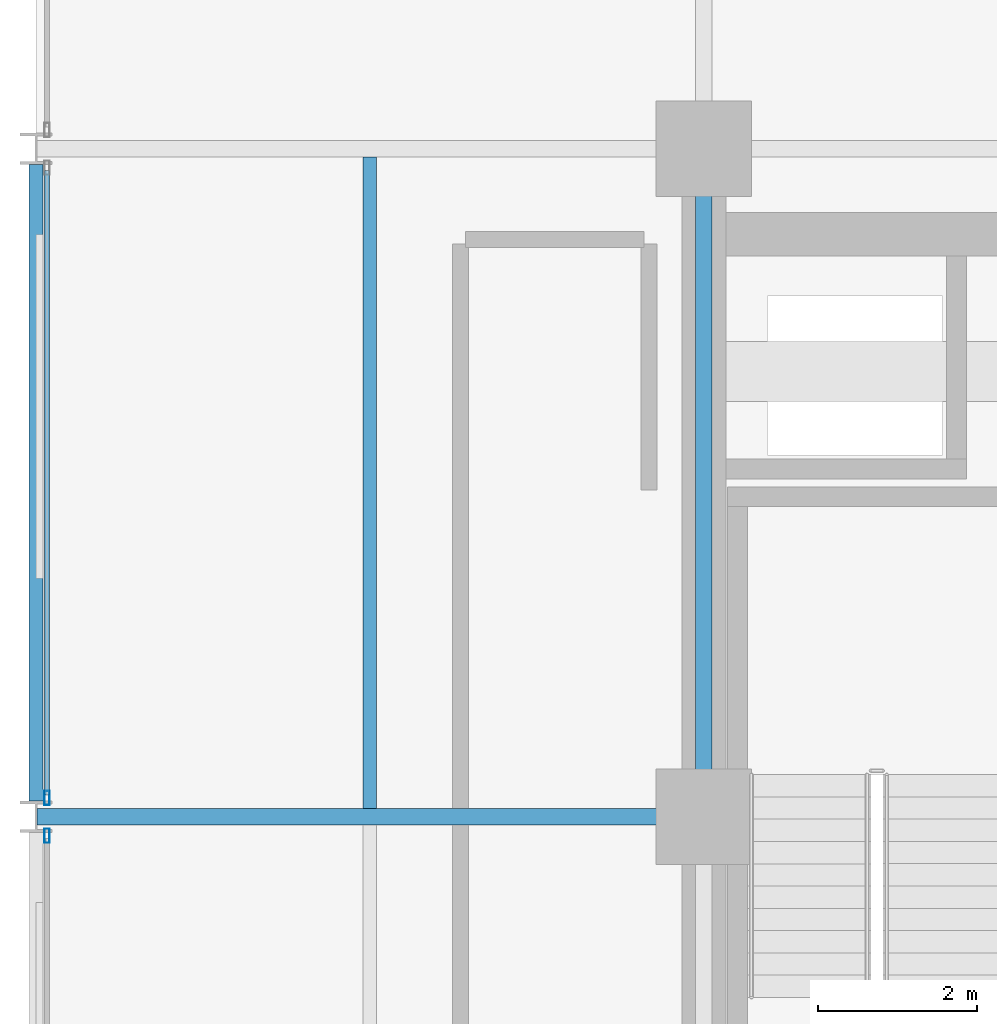
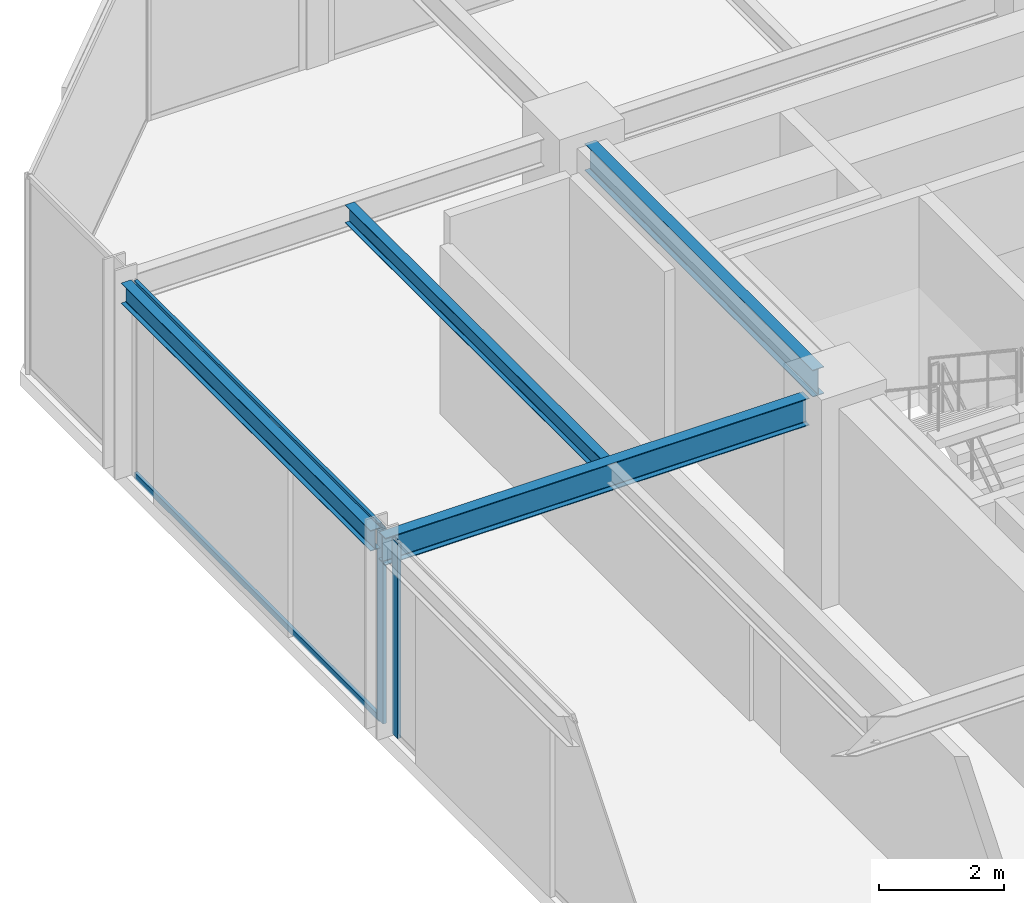
# One storey, part 16 of 29: 4 beams, 4 members, 2 elements without a shape of their own.
"""IFC4 building model written with IfcOpenShell, lengths in metres."""

import ifcopenshell
import ifcopenshell.guid

model = None  # the IFC model being written
_history = None  # IfcOwnerHistory: only IFC2X3 demands one
_inside = {}  # id of a spatial element -> (the spatial element, [elements in it])
_under = {}  # id of a project, library or spatial element -> (it, [spatial elements below it])
_declared = {}  # id of a project -> (the project, [libraries it declares])
_typed = {}  # id of a type object -> (the type object, [elements of that type])
_made_of = {}  # id of a material, layer set ... -> (it, [elements and type objects made of it])


def new_model(schema):
    """Start an empty IFC model of exactly this schema.

    Asked for "IFC4X3", IfcOpenShell would pick the latest addendum, in which some entities
    have other attributes; the version numbers below select the first issue.
    IFC2X3 requires an IfcOwnerHistory on every rooted entity: one is made here for all.
    """
    global model, _history
    if schema == "IFC4X3":
        model = ifcopenshell.file(schema_version=(4, 3, 0, 0))
    else:
        model = ifcopenshell.file(schema=schema)
    _inside.clear()
    _under.clear()
    _declared.clear()
    _typed.clear()
    _made_of.clear()
    _history = None
    if model.schema == "IFC2X3":
        org = make("IfcOrganization", Name="unknown")
        user = make(
            "IfcPersonAndOrganization",
            ThePerson=make("IfcPerson", FamilyName="unknown"),
            TheOrganization=org,
        )
        app = make(
            "IfcApplication",
            ApplicationDeveloper=org,
            Version="unknown",
            ApplicationFullName="unknown",
            ApplicationIdentifier="unknown",
        )
        _history = make(
            "IfcOwnerHistory",
            OwningUser=user,
            OwningApplication=app,
            ChangeAction="ADDED",
            CreationDate=0,
        )
    return model


def make(cls, **values):
    """One entity of the class cls with the attributes given. An attribute that is None is left unset."""
    return model.create_entity(
        cls, **{name: value for name, value in values.items() if value is not None}
    )


def rooted(cls, **values):
    """An entity with a GlobalId (a new one), such as an element, a storey or a relation."""
    return make(cls, GlobalId=ifcopenshell.guid.new(), OwnerHistory=_history, **values)


def si_unit(unit_type, name, prefix=None):
    """IfcSIUnit, for example si_unit("LENGTHUNIT", "METRE", prefix="MILLI")."""
    return make("IfcSIUnit", UnitType=unit_type, Prefix=prefix, Name=name)


def assignment(units):
    """IfcUnitAssignment: the units of a project."""
    return None if units is None else make("IfcUnitAssignment", Units=units)


def point(xyz):
    """IfcCartesianPoint."""
    return None if xyz is None else make("IfcCartesianPoint", Coordinates=xyz)


def direction(xyz):
    """IfcDirection."""
    return None if xyz is None else make("IfcDirection", DirectionRatios=xyz)


def frame(location, z_axis=None, x_axis=None):
    """IfcAxis2Placement3D, a coordinate frame: its origin and axes. An axis left out is left unset."""
    return make(
        "IfcAxis2Placement3D",
        Location=point(location),
        Axis=direction(z_axis),
        RefDirection=direction(x_axis),
    )


def frame_2d(location, x_axis=None):
    """IfcAxis2Placement2D, a coordinate frame in the plane: its origin and x axis."""
    return make(
        "IfcAxis2Placement2D", Location=point(location), RefDirection=direction(x_axis)
    )


def origin():
    """The frame at (0, 0, 0) with its axes left unset."""
    return frame((0.0, 0.0, 0.0))


def origin_2d():
    """The frame at (0, 0) in the plane with its x axis left unset."""
    return frame_2d((0.0, 0.0))


def place(relative_to, where):
    """IfcLocalPlacement: puts the frame where relative to a parent placement (None: the world)."""
    return make(
        "IfcLocalPlacement", PlacementRelTo=relative_to, RelativePlacement=where
    )


def context(
    kind, dimensions, precision=None, world=None, true_north=None, identifier=None
):
    """IfcGeometricRepresentationContext, for example the 3D "Model" context."""
    return make(
        "IfcGeometricRepresentationContext",
        ContextIdentifier=identifier,
        ContextType=kind,
        CoordinateSpaceDimension=dimensions,
        Precision=precision,
        WorldCoordinateSystem=world,
        TrueNorth=true_north,
    )


def subcontext(parent, identifier, kind, view, scale=None):
    """IfcGeometricRepresentationSubContext, for example "Body" below "Model"."""
    return make(
        "IfcGeometricRepresentationSubContext",
        ContextIdentifier=identifier,
        ContextType=kind,
        ParentContext=parent,
        TargetScale=scale,
        TargetView=view,
    )


def project(units=None, contexts=None):
    """IfcProject with its units and contexts."""
    return rooted(
        "IfcProject",
        Name="project",
        RepresentationContexts=contexts,
        UnitsInContext=assignment(units),
    )


def spatial(cls, under=None, at=None, **own):
    """A site, building, storey or space (cls), placed at a placement, below another one or the project."""
    s = rooted(cls, ObjectPlacement=at, **own)
    if under is not None:
        _under.setdefault(under.id(), (under, []))[1].append(s)
    return s


def profile(cls, at=None, kind="AREA", **sizes):
    """A parametric profile (cls). Its sizes go by their IFC names, for example OverallWidth=200.0."""
    return make(cls, ProfileType=kind, Position=at, **sizes)


def hollow_rectangle(**sizes):
    """IfcRectangleHollowProfileDef."""
    return profile("IfcRectangleHollowProfileDef", **sizes)


def i_section(**sizes):
    """IfcIShapeProfileDef."""
    return profile("IfcIShapeProfileDef", **sizes)


def extrude(swept, where, along, depth):
    """IfcExtrudedAreaSolid: the profile swept, set in the frame where, extruded along a direction by depth."""
    return make(
        "IfcExtrudedAreaSolid",
        SweptArea=swept,
        Position=where,
        ExtrudedDirection=direction(along),
        Depth=depth,
    )


def shape(context_of_items, identifier, shape_type, items):
    """IfcShapeRepresentation: the items that make up one representation, for example the "Body"."""
    return make(
        "IfcShapeRepresentation",
        ContextOfItems=context_of_items,
        RepresentationIdentifier=identifier,
        RepresentationType=shape_type,
        Items=items,
    )


def material(Name=None, Category=None):
    """IfcMaterial."""
    return make("IfcMaterial", Name=Name, Category=Category)


def layer(
    of_material, thickness, ventilated=None, Name=None, Category=None, Priority=None
):
    """IfcMaterialLayer: one layer of a wall or slab, of a material (None: an air gap)."""
    return make(
        "IfcMaterialLayer",
        Material=of_material,
        LayerThickness=thickness,
        IsVentilated=ventilated,
        Name=Name,
        Category=Category,
        Priority=Priority,
    )


def layer_set(layers, Name=None):
    """IfcMaterialLayerSet."""
    return make("IfcMaterialLayerSet", MaterialLayers=layers, LayerSetName=Name)


def material_profile(
    of_material, cross_section, Name=None, Category=None, Priority=None
):
    """IfcMaterialProfile: a cross section and its material."""
    return make(
        "IfcMaterialProfile",
        Name=Name,
        Material=of_material,
        Profile=cross_section,
        Priority=Priority,
        Category=Category,
    )


def profile_set(profiles, Name=None, composite=None):
    """IfcMaterialProfileSet."""
    return make(
        "IfcMaterialProfileSet",
        Name=Name,
        MaterialProfiles=profiles,
        CompositeProfile=composite,
    )


def made_of(thing, what):
    """Note that an element or type object is made of a material, layer set ...; save() writes the relation."""
    if what is not None:
        _made_of.setdefault(what.id(), (what, []))[1].append(thing)
    return thing


def type_object(cls, material=None, **own):
    """A type object (cls), such as IfcWallType, which elements share."""
    return made_of(rooted(cls, **own), material)


def element(
    cls,
    number,
    at=None,
    inside=None,
    cuts=None,
    type_object=None,
    material=None,
    context=None,
    identifier="Body",
    shape_type=None,
    held_by="IfcProductDefinitionShape",
    body=None,
    shapes=None,
    **own,
):
    """One element of the class cls, such as IfcWall. Its Tag is "e" and its number.

    at: its placement. inside: the storey or other place that contains it. cuts: it is an
    opening in that element (IfcRelVoidsElement). A single representation is given by context,
    identifier, shape_type and body (its items); several are given by shapes. held_by: the class
    of the entity that holds the representations. save() writes the other relations.
    """
    e = rooted(cls, Tag="e%d" % number, ObjectPlacement=at, **own)
    if body is not None:
        shapes = [shape(context, identifier, shape_type, body)]
    if shapes is not None:
        e.Representation = make(held_by, Representations=shapes)
    if inside is not None:
        _inside.setdefault(inside.id(), (inside, []))[1].append(e)
    if cuts is not None:
        rooted(
            "IfcRelVoidsElement", RelatingBuildingElement=cuts, RelatedOpeningElement=e
        )
    if type_object is not None:
        _typed.setdefault(type_object.id(), (type_object, []))[1].append(e)
    return made_of(e, material)


def aggregate(whole, parts):
    """IfcRelAggregates: a whole, such as a stair, and the parts it consists of."""
    return rooted("IfcRelAggregates", RelatingObject=whole, RelatedObjects=parts)


def save(model, path):
    """Write the relations noted so far, then the file.

    IfcRelAggregates (storeys below a building ...), IfcRelContainedInSpatialStructure (elements
    in a storey), IfcRelDefinesByType, IfcRelAssociatesMaterial and IfcRelDeclares: one each for
    every whole, place, type object, material and project.
    """
    for whole, parts in _under.values():
        aggregate(whole, parts)
    for where, things in _inside.values():
        rooted(
            "IfcRelContainedInSpatialStructure",
            RelatedElements=things,
            RelatingStructure=where,
        )
    for kind, things in _typed.values():
        rooted("IfcRelDefinesByType", RelatedObjects=things, RelatingType=kind)
    for what, things in _made_of.values():
        rooted("IfcRelAssociatesMaterial", RelatedObjects=things, RelatingMaterial=what)
    for by, libraries in _declared.values():
        rooted("IfcRelDeclares", RelatingContext=by, RelatedDefinitions=libraries)
    model.write(path)


model = new_model("IFC4")

# Units and contexts
model_context = context("Model", 3, precision=1e-05, world=origin(), true_north=direction((0.0, 1.0)))
body_context = subcontext(model_context, "Body", "Model", "MODEL_VIEW")
ifc_project = project(units=[si_unit("LENGTHUNIT", "METRE"), si_unit("AREAUNIT", "SQUARE_METRE"), si_unit("VOLUMEUNIT", "CUBIC_METRE"), si_unit("PLANEANGLEUNIT", "RADIAN"), si_unit("MASSUNIT", "GRAM", prefix="KILO")], contexts=[model_context])

# Site, building, storey
site_placement = place(None, origin())
site = spatial("IfcSite", under=ifc_project, at=site_placement, CompositionType="ELEMENT")
building_placement = place(site_placement, origin())
building = spatial("IfcBuilding", under=site, at=building_placement, Name="Nerrivon Quay Data Exchange", CompositionType="ELEMENT")
storey_placement = place(building_placement, frame((0.0, 0.0, 145.89990234375)))
storey = spatial("IfcBuildingStorey", under=building, at=storey_placement, Name="L34", CompositionType="ELEMENT", Elevation=145.89990234375)

# Beams
ifc_material_1 = material(Name="Steel Grade 350", Category="steel")
ifc_material_profile_1 = material_profile(ifc_material_1, i_section(OverallWidth=0.208984375, OverallDepth=0.532958984375, WebThickness=0.01025390625, FlangeThickness=0.015625, FilletRadius=0.013916015625, at=origin_2d()), Name="530UB92.4")
ifc_profile_set_1 = profile_set([ifc_material_profile_1], Name="Steel Grade 350")
beam_type_1 = type_object("IfcBeamType", Name="BM-G3-530UB92", PredefinedType="BEAM", material=ifc_profile_set_1)
beam_1_placement = place(storey_placement, frame((0.012451171875, 33.60009765625, 3.55859375), z_axis=(1.0, 0.0, 0.0), x_axis=(0.0, 1.0, 0.0)))
element("IfcBeam", 1, at=beam_1_placement, inside=storey, type_object=beam_type_1, Name="L34 EW Girder Y=33.6 (0.0..8.4)", PredefinedType="BEAM", context=body_context, shape_type="SweptSolid", body=[
    extrude(i_section(OverallWidth=0.208984375, OverallDepth=0.532958984375, WebThickness=0.01025390625, FlangeThickness=0.015625, FilletRadius=0.013916015625, at=origin_2d()), origin(), (0.0, 0.0, 1.0), 7.84765625),
])
ifc_material_profile_2 = material_profile(ifc_material_1, i_section(OverallWidth=0.208984375, OverallDepth=0.528076171875, WebThickness=0.009521484375, FlangeThickness=0.01318359375, FilletRadius=0.013916015625, at=origin_2d()), Name="530UB82.0")
ifc_profile_set_2 = profile_set([ifc_material_profile_2], Name="Steel Grade 350")
beam_type_2 = type_object("IfcBeamType", Name="BM-G4-530UB82", PredefinedType="BEAM", material=ifc_profile_set_2)
beam_2_placement = place(storey_placement, frame((8.39990234375, 34.139892578125, 3.56103515625), z_axis=(0.0, 1.0, 0.0), x_axis=(-1.0, 0.0, 0.0)))
element("IfcBeam", 2, at=beam_2_placement, inside=storey, type_object=beam_type_2, Name="L34 NS Girder X=8.4 (33.6..42.0)", PredefinedType="BEAM", context=body_context, shape_type="SweptSolid", body=[
    extrude(i_section(OverallWidth=0.208984375, OverallDepth=0.528076171875, WebThickness=0.009521484375, FlangeThickness=0.01318359375, FilletRadius=0.013916015625, at=origin_2d()), origin(), (0.0, 0.0, 1.0), 7.320068359375),
])
ifc_material_profile_3 = material_profile(ifc_material_1, i_section(OverallWidth=0.1708984375, OverallDepth=0.35595703125, WebThickness=0.00732421875, FlangeThickness=0.011474609375, FilletRadius=0.011474609375, at=origin_2d()), Name="360UB50.7")
ifc_profile_set_3 = profile_set([ifc_material_profile_3], Name="Steel Grade 350")
beam_type_3 = type_object("IfcBeamType", Name="BM-J4-360UB51", PredefinedType="JOIST", material=ifc_profile_set_3)
beam_3_placement = place(storey_placement, frame((4.199951171875, 33.70458984375, 3.647216796875), z_axis=(0.0, 1.0, 0.0), x_axis=(-1.0, 0.0, 0.0)))
element("IfcBeam", 3, at=beam_3_placement, inside=storey, type_object=beam_type_3, Name="L34 Secondary Joist X=4.2 (33.6..42.0)", PredefinedType="JOIST", context=body_context, shape_type="SweptSolid", body=[
    extrude(i_section(OverallWidth=0.1708984375, OverallDepth=0.35595703125, WebThickness=0.00732421875, FlangeThickness=0.011474609375, FilletRadius=0.011474609375, at=origin_2d()), origin(), (0.0, 0.0, 1.0), 8.19091796875),
])
ifc_material_profile_4 = material_profile(ifc_material_1, i_section(OverallWidth=0.177978515625, OverallDepth=0.403076171875, WebThickness=0.007568359375, FlangeThickness=0.010986328125, FilletRadius=0.011474609375, at=origin_2d()), Name="410UB53.7")
ifc_profile_set_4 = profile_set([ifc_material_profile_4], Name="Steel Grade 350")
beam_type_4 = type_object("IfcBeamType", Name="BM-SP2-410UB54", PredefinedType="SPANDREL", material=ifc_profile_set_4)
beam_4_placement = place(storey_placement, frame((0.0, 33.800048828125, 3.62353515625), z_axis=(0.0, 1.0, 0.0), x_axis=(-1.0, 0.0, 0.0)))
element("IfcBeam", 4, at=beam_4_placement, inside=storey, type_object=beam_type_4, Name="L34 NS Girder X=0.0 (33.6..42.0)", PredefinedType="SPANDREL", context=body_context, shape_type="SweptSolid", body=[
    extrude(i_section(OverallWidth=0.177978515625, OverallDepth=0.403076171875, WebThickness=0.007568359375, FlangeThickness=0.010986328125, FilletRadius=0.011474609375, at=origin_2d()), origin(), (0.0, 0.0, 1.0), 8.0),
])

# Curtain wall, member
ifc_material_2 = material(Name="Anodised aluminium 6063-T6", Category="aluminium")
ifc_layer = layer(ifc_material_2, 0.2099609375)
ifc_layer_set = layer_set([ifc_layer], Name="Anodised aluminium 6063-T6")
curtain_wall_type = type_object("IfcCurtainWallType", Name="CW-SYS-02", PredefinedType="NOTDEFINED", material=ifc_layer_set)
curtain_wall_1_placement = place(storey_placement, origin())
curtain_wall_1 = element("IfcCurtainWall", 5, at=curtain_wall_1_placement, inside=storey, type_object=curtain_wall_type, Name="L34 Unitised Curtain Wall 14", PredefinedType="NOTDEFINED")
ifc_material_profile_5 = material_profile(ifc_material_2, hollow_rectangle(XDim=0.06494140625, YDim=0.179931640625, WallThickness=0.00341796875, at=origin_2d()), Name="ALU-MULL-180x65")
ifc_profile_set_5 = profile_set([ifc_material_profile_5], Name="Anodised aluminium 6063-T6")
member_type_1 = type_object("IfcMemberType", Name="CWM-180x65", PredefinedType="MULLION", material=ifc_profile_set_5)
member_1_placement = place(storey_placement, frame((0.139892578125, 33.362548828125, 0.0), z_axis=(0.0, 0.0, 1.0), x_axis=(-1.0, 0.0, 0.0)))
member_1 = element("IfcMember", 6, at=member_1_placement, type_object=member_type_1, Name="CW02 mullion 2", PredefinedType="MULLION", context=body_context, shape_type="SweptSolid", body=[
    extrude(hollow_rectangle(XDim=0.06494140625, YDim=0.179931640625, WallThickness=0.00341796875, at=origin_2d()), origin(), (0.0, 0.0, 1.0), 3.8251953125),
])
aggregate(curtain_wall_1, [member_1])

# Curtain wall, members
curtain_wall_2_placement = place(storey_placement, origin())
curtain_wall_2 = element("IfcCurtainWall", 7, at=curtain_wall_2_placement, inside=storey, type_object=curtain_wall_type, Name="L34 Unitised Curtain Wall 15", PredefinedType="NOTDEFINED")
member_2_placement = place(storey_placement, frame((0.139892578125, 33.83740234375, 0.0), z_axis=(0.0, 0.0, 1.0), x_axis=(-1.0, 0.0, 0.0)))
member_2 = element("IfcMember", 8, at=member_2_placement, type_object=member_type_1, Name="CW02 mullion 1", PredefinedType="MULLION", context=body_context, shape_type="SweptSolid", body=[
    extrude(hollow_rectangle(XDim=0.06494140625, YDim=0.179931640625, WallThickness=0.00341796875, at=origin_2d()), origin(), (0.0, 0.0, 1.0), 3.8251953125),
])
ifc_material_profile_6 = material_profile(ifc_material_2, hollow_rectangle(XDim=0.06005859375, YDim=0.1201171875, WallThickness=0.003173828125, at=origin_2d()), Name="ALU-TRAN-120x60")
ifc_profile_set_6 = profile_set([ifc_material_profile_6], Name="Anodised aluminium 6063-T6")
member_type_2 = type_object("IfcMemberType", Name="CWT-120x60", PredefinedType="USERDEFINED", material=ifc_profile_set_6)
member_3_placement = place(storey_placement, frame((0.139892578125, 33.875, 0.03271484375), z_axis=(0.0, 1.0, 0.0), x_axis=(-1.0, 0.0, 0.0)))
member_3 = element("IfcMember", 9, at=member_3_placement, type_object=member_type_2, Name="CW02 transom 1.1", ObjectType="TRANSOM", PredefinedType="USERDEFINED", context=body_context, shape_type="SweptSolid", body=[
    extrude(hollow_rectangle(XDim=0.06005859375, YDim=0.1201171875, WallThickness=0.003173828125, at=origin_2d()), origin(), (0.0, 0.0, 1.0), 7.85009765625),
])
member_4_placement = place(storey_placement, frame((0.139892578125, 33.875, 3.79248046875), z_axis=(0.0, 1.0, 0.0), x_axis=(-1.0, 0.0, 0.0)))
member_4 = element("IfcMember", 10, at=member_4_placement, type_object=member_type_2, Name="CW02 transom 1.2", ObjectType="TRANSOM", PredefinedType="USERDEFINED", context=body_context, shape_type="SweptSolid", body=[
    extrude(hollow_rectangle(XDim=0.06005859375, YDim=0.1201171875, WallThickness=0.003173828125, at=origin_2d()), origin(), (0.0, 0.0, 1.0), 7.85009765625),
])
aggregate(curtain_wall_2, [member_2, member_3, member_4])

save(model, "model.ifc")
